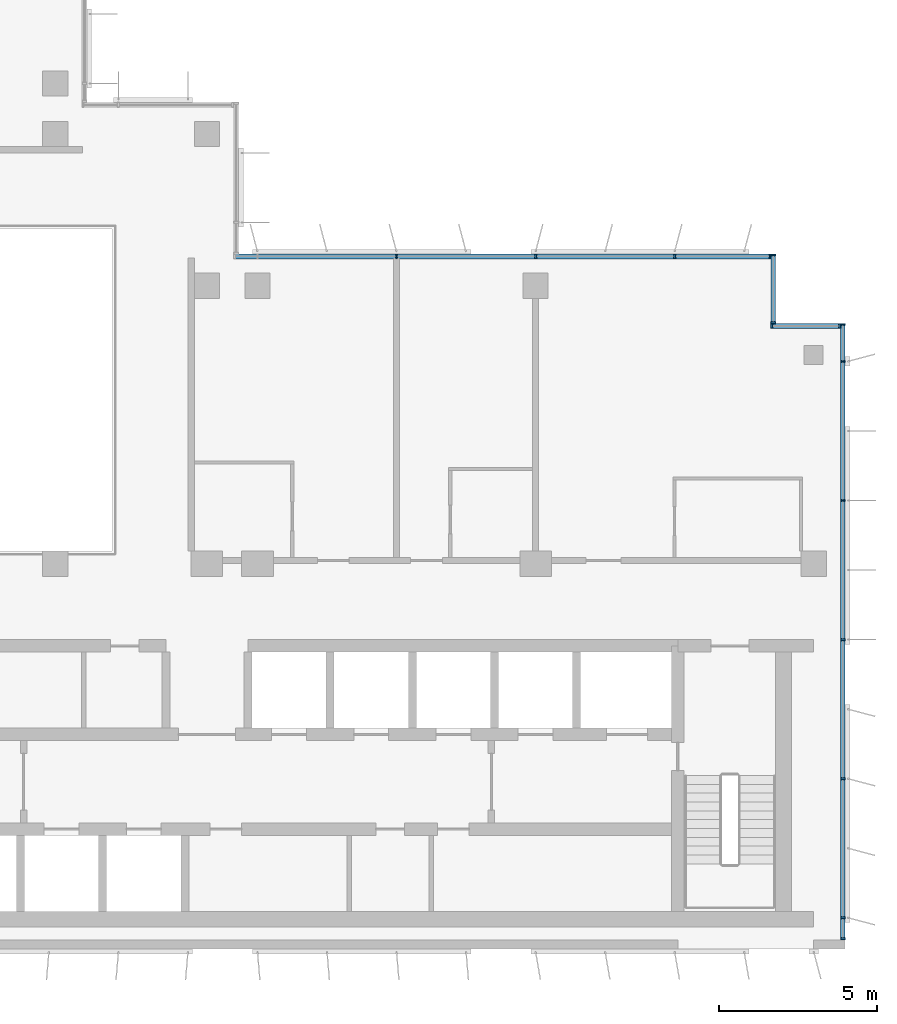
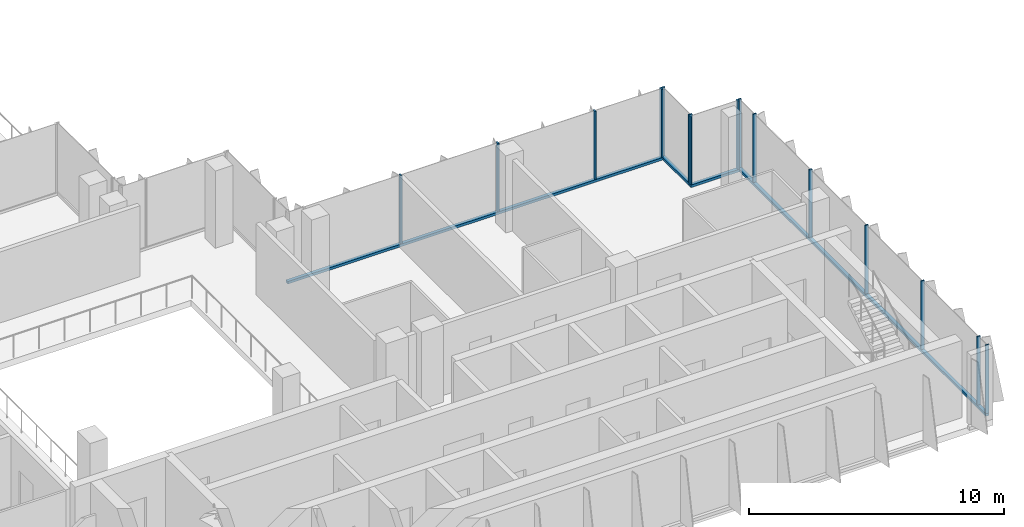
# One storey, part 3 of 15: 19 members, 4 elements without a shape of their own.
"""IFC4 building model written with IfcOpenShell, lengths in metres."""

from ifc_helpers import new_model, si_unit, direction, frame, origin, origin_2d, place, context, subcontext, project, spatial, rectangle, extrude, source, transform, mapped, material, material_profile, profile_set, type_object, element, aggregate, save


model = new_model("IFC4")

# Units and contexts
model_context = context("Model", 3, precision=1e-05, world=origin(), true_north=direction((0.0, 1.0)))
body_context = subcontext(model_context, "Body", "Model", "MODEL_VIEW")
ifc_project = project(units=[si_unit("LENGTHUNIT", "METRE"), si_unit("AREAUNIT", "SQUARE_METRE"), si_unit("VOLUMEUNIT", "CUBIC_METRE"), si_unit("PLANEANGLEUNIT", "RADIAN"), si_unit("MASSUNIT", "GRAM", prefix="KILO")], contexts=[model_context])

# Site, building, storey
site_placement = place(None, origin())
site = spatial("IfcSite", under=ifc_project, at=site_placement, CompositionType="ELEMENT")
building_placement = place(site_placement, origin())
building = spatial("IfcBuilding", under=site, at=building_placement, Name="Kemantara Hotel Tower", CompositionType="ELEMENT")
storey_placement = place(building_placement, frame((0.0, 0.0, 241.300048828125)))
storey = spatial("IfcBuildingStorey", under=building, at=storey_placement, Name="L60", CompositionType="ELEMENT", Elevation=241.300048828125)

# Curtain wall, member
ifc_material_1 = material(Name="Low-E tinted double insulated glass 36 mm", Category="glass")
curtain_wall_type = type_object("IfcCurtainWallType", Name="TOWER CURTAIN WALL, FRONT FACES", PredefinedType="USERDEFINED", material=ifc_material_1)
curtain_wall_1_placement = place(storey_placement, origin())
curtain_wall_1 = element("IfcCurtainWall", 1, at=curtain_wall_1_placement, inside=storey, type_object=curtain_wall_type, Name="CW4 L60 T4P-R06-1", ObjectType="TOWER CURTAIN WALL, FRONT FACES", PredefinedType="USERDEFINED")
ifc_material_2 = material(Name="Aluminium 6063-T6 bronze anodised", Category="aluminium")
ifc_material_profile_1 = material_profile(ifc_material_2, rectangle(XDim=0.14990234375, YDim=0.1201171875, at=origin_2d()), Name="TOWER CURTAIN WALL, FRONT FACES TRANSOM")
ifc_profile_set_1 = profile_set([ifc_material_profile_1], Name="Aluminium 6063-T6 bronze anodised")
member_type_1 = type_object("IfcMemberType", Name="TOWER CURTAIN WALL, FRONT FACES TRANSOM", PredefinedType="USERDEFINED", material=ifc_profile_set_1)
member_1_placement = place(storey_placement, frame((45.925048828125, 0.300048828125, 0.06005859375), z_axis=(0.0, 1.0, 0.0), x_axis=(-1.0, 0.0, 0.0)))
member_1 = element("IfcMember", 2, at=member_1_placement, type_object=member_type_1, Name="CW4 sill transom T4P-R06-1", ObjectType="TRANSOM", PredefinedType="USERDEFINED", context=body_context, shape_type="SweptSolid", body=[
    extrude(rectangle(XDim=0.14990234375, YDim=0.1201171875, at=origin_2d()), origin(), (0.0, 0.0, 1.0), 19.5),
])

curtain_wall_2_placement = place(storey_placement, origin())
curtain_wall_2 = element("IfcCurtainWall", 3, at=curtain_wall_2_placement, inside=storey, type_object=curtain_wall_type, Name="CW4 L60 T4P-R09-1", ObjectType="TOWER CURTAIN WALL, FRONT FACES", PredefinedType="USERDEFINED")
member_2_placement = place(storey_placement, frame((43.64990234375, 21.925048828125, 0.06005859375), z_axis=(-1.0, 0.0, 0.0), x_axis=(0.0, -1.0, 0.0)))
member_2 = element("IfcMember", 4, at=member_2_placement, type_object=member_type_1, Name="CW4 sill transom T4P-R09-1", ObjectType="TRANSOM", PredefinedType="USERDEFINED", context=body_context, shape_type="SweptSolid", body=[
    extrude(rectangle(XDim=0.14990234375, YDim=0.1201171875, at=origin_2d()), origin(), (0.0, 0.0, 1.0), 17.0),
])

curtain_wall_3_placement = place(storey_placement, origin())
curtain_wall_3 = element("IfcCurtainWall", 5, at=curtain_wall_3_placement, inside=storey, type_object=curtain_wall_type, Name="CW4 L60 T4P-R07-1", ObjectType="TOWER CURTAIN WALL, FRONT FACES", PredefinedType="USERDEFINED")
member_3_placement = place(storey_placement, frame((45.85009765625, 19.72509765625, 0.06005859375), z_axis=(-1.0, 0.0, 0.0), x_axis=(0.0, -1.0, 0.0)))
member_3 = element("IfcMember", 6, at=member_3_placement, type_object=member_type_1, Name="CW4 sill transom T4P-R07-1", ObjectType="TRANSOM", PredefinedType="USERDEFINED", context=body_context, shape_type="SweptSolid", body=[
    extrude(rectangle(XDim=0.14990234375, YDim=0.1201171875, at=origin_2d()), origin(), (0.0, 0.0, 1.0), 2.2001953125),
])

curtain_wall_4_placement = place(storey_placement, origin())
curtain_wall_4 = element("IfcCurtainWall", 7, at=curtain_wall_4_placement, inside=storey, type_object=curtain_wall_type, Name="CW4 L60 T4P-R08-1", ObjectType="TOWER CURTAIN WALL, FRONT FACES", PredefinedType="USERDEFINED")
member_4_placement = place(storey_placement, frame((43.72509765625, 19.800048828125, 0.06005859375), z_axis=(0.0, 1.0, 0.0), x_axis=(-1.0, 0.0, 0.0)))
member_4 = element("IfcMember", 8, at=member_4_placement, type_object=member_type_1, Name="CW4 sill transom T4P-R08-1", ObjectType="TRANSOM", PredefinedType="USERDEFINED", context=body_context, shape_type="SweptSolid", body=[
    extrude(rectangle(XDim=0.14990234375, YDim=0.1201171875, at=origin_2d()), origin(), (0.0, 0.0, 1.0), 2.199951171875),
])

# Member
ifc_material_profile_2 = material_profile(ifc_material_2, rectangle(XDim=0.14990234375, YDim=0.06005859375, at=origin_2d()), Name="TOWER CURTAIN WALL, FRONT FACES MULLION")
ifc_profile_set_2 = profile_set([ifc_material_profile_2], Name="Aluminium 6063-T6 bronze anodised")
member_type_2 = type_object("IfcMemberType", Name="TOWER CURTAIN WALL, FRONT FACES MULLION", PredefinedType="MULLION", material=ifc_profile_set_2)
shared_shape = source(origin(), body_context, "Body", "SweptSolid", [
    extrude(rectangle(XDim=0.14990234375, YDim=0.06005859375, at=origin_2d()), origin(), (0.0, 0.0, 1.0), 3.280029296875),
])
member_5_placement = place(storey_placement, frame((45.925048828125, 0.330078125, 0.119873046875), z_axis=(0.0, 0.0, 1.0), x_axis=(-1.0, 0.0, 0.0)))
member_5 = element("IfcMember", 9, at=member_5_placement, type_object=member_type_2, Name="CW4 mullion T4P-R06-1.1", PredefinedType="MULLION", context=body_context, shape_type="MappedRepresentation", body=[
    mapped(shared_shape, transform((0.0, 0.0, 0.0))),
])

member_6_placement = place(storey_placement, frame((45.925048828125, 1.0, 0.119873046875), z_axis=(0.0, 0.0, 1.0), x_axis=(-1.0, 0.0, 0.0)))
member_6 = element("IfcMember", 10, at=member_6_placement, type_object=member_type_2, Name="CW4 mullion T4P-R06-1.2", PredefinedType="MULLION", context=body_context, shape_type="MappedRepresentation", body=[
    mapped(shared_shape, transform((0.0, 0.0, 0.0))),
])

member_7_placement = place(storey_placement, frame((45.925048828125, 5.39990234375, 0.119873046875), z_axis=(0.0, 0.0, 1.0), x_axis=(-1.0, 0.0, 0.0)))
member_7 = element("IfcMember", 11, at=member_7_placement, type_object=member_type_2, Name="CW4 mullion T4P-R06-1.3", PredefinedType="MULLION", context=body_context, shape_type="MappedRepresentation", body=[
    mapped(shared_shape, transform((0.0, 0.0, 0.0))),
])

member_8_placement = place(storey_placement, frame((45.925048828125, 9.800048828125, 0.119873046875), z_axis=(0.0, 0.0, 1.0), x_axis=(-1.0, 0.0, 0.0)))
member_8 = element("IfcMember", 12, at=member_8_placement, type_object=member_type_2, Name="CW4 mullion T4P-R06-1.4", PredefinedType="MULLION", context=body_context, shape_type="MappedRepresentation", body=[
    mapped(shared_shape, transform((0.0, 0.0, 0.0))),
])

member_9_placement = place(storey_placement, frame((45.925048828125, 14.199951171875, 0.119873046875), z_axis=(0.0, 0.0, 1.0), x_axis=(-1.0, 0.0, 0.0)))
member_9 = element("IfcMember", 13, at=member_9_placement, type_object=member_type_2, Name="CW4 mullion T4P-R06-1.5", PredefinedType="MULLION", context=body_context, shape_type="MappedRepresentation", body=[
    mapped(shared_shape, transform((0.0, 0.0, 0.0))),
])

member_10_placement = place(storey_placement, frame((45.925048828125, 18.60009765625, 0.119873046875), z_axis=(0.0, 0.0, 1.0), x_axis=(-1.0, 0.0, 0.0)))
member_10 = element("IfcMember", 14, at=member_10_placement, type_object=member_type_2, Name="CW4 mullion T4P-R06-1.6", PredefinedType="MULLION", context=body_context, shape_type="MappedRepresentation", body=[
    mapped(shared_shape, transform((0.0, 0.0, 0.0))),
])

member_11_placement = place(storey_placement, frame((45.925048828125, 19.77001953125, 0.119873046875), z_axis=(0.0, 0.0, 1.0), x_axis=(-1.0, 0.0, 0.0)))
member_11 = element("IfcMember", 15, at=member_11_placement, type_object=member_type_2, Name="CW4 mullion T4P-R06-1.7", PredefinedType="MULLION", context=body_context, shape_type="MappedRepresentation", body=[
    mapped(shared_shape, transform((0.0, 0.0, 0.0))),
])

aggregate(curtain_wall_1, [member_1, member_5, member_6, member_7, member_8, member_9, member_10, member_11])

member_12_placement = place(storey_placement, frame((43.6201171875, 21.925048828125, 0.119873046875), z_axis=(0.0, 0.0, 1.0), x_axis=(0.0, -1.0, 0.0)))
member_12 = element("IfcMember", 16, at=member_12_placement, type_object=member_type_2, Name="CW4 mullion T4P-R09-1.1", PredefinedType="MULLION", context=body_context, shape_type="MappedRepresentation", body=[
    mapped(shared_shape, transform((0.0, 0.0, 0.0))),
])

member_13_placement = place(storey_placement, frame((40.60009765625, 21.925048828125, 0.119873046875), z_axis=(0.0, 0.0, 1.0), x_axis=(0.0, -1.0, 0.0)))
member_13 = element("IfcMember", 17, at=member_13_placement, type_object=member_type_2, Name="CW4 mullion T4P-R09-1.2", PredefinedType="MULLION", context=body_context, shape_type="MappedRepresentation", body=[
    mapped(shared_shape, transform((0.0, 0.0, 0.0))),
])

member_14_placement = place(storey_placement, frame((36.199951171875, 21.925048828125, 0.119873046875), z_axis=(0.0, 0.0, 1.0), x_axis=(0.0, -1.0, 0.0)))
member_14 = element("IfcMember", 18, at=member_14_placement, type_object=member_type_2, Name="CW4 mullion T4P-R09-1.3", PredefinedType="MULLION", context=body_context, shape_type="MappedRepresentation", body=[
    mapped(shared_shape, transform((0.0, 0.0, 0.0))),
])

member_15_placement = place(storey_placement, frame((31.800048828125, 21.925048828125, 0.119873046875), z_axis=(0.0, 0.0, 1.0), x_axis=(0.0, -1.0, 0.0)))
member_15 = element("IfcMember", 19, at=member_15_placement, type_object=member_type_2, Name="CW4 mullion T4P-R09-1.4", PredefinedType="MULLION", context=body_context, shape_type="MappedRepresentation", body=[
    mapped(shared_shape, transform((0.0, 0.0, 0.0))),
])

aggregate(curtain_wall_2, [member_2, member_12, member_13, member_14, member_15])

member_16_placement = place(storey_placement, frame((45.820068359375, 19.72509765625, 0.119873046875), z_axis=(0.0, 0.0, 1.0), x_axis=(0.0, -1.0, 0.0)))
member_16 = element("IfcMember", 20, at=member_16_placement, type_object=member_type_2, Name="CW4 mullion T4P-R07-1.1", PredefinedType="MULLION", context=body_context, shape_type="MappedRepresentation", body=[
    mapped(shared_shape, transform((0.0, 0.0, 0.0))),
])

member_17_placement = place(storey_placement, frame((43.679931640625, 19.72509765625, 0.119873046875), z_axis=(0.0, 0.0, 1.0), x_axis=(0.0, -1.0, 0.0)))
member_17 = element("IfcMember", 21, at=member_17_placement, type_object=member_type_2, Name="CW4 mullion T4P-R07-1.2", PredefinedType="MULLION", context=body_context, shape_type="MappedRepresentation", body=[
    mapped(shared_shape, transform((0.0, 0.0, 0.0))),
])

aggregate(curtain_wall_3, [member_3, member_16, member_17])

member_18_placement = place(storey_placement, frame((43.72509765625, 19.830078125, 0.119873046875), z_axis=(0.0, 0.0, 1.0), x_axis=(-1.0, 0.0, 0.0)))
member_18 = element("IfcMember", 22, at=member_18_placement, type_object=member_type_2, Name="CW4 mullion T4P-R08-1.1", PredefinedType="MULLION", context=body_context, shape_type="MappedRepresentation", body=[
    mapped(shared_shape, transform((0.0, 0.0, 0.0))),
])

member_19_placement = place(storey_placement, frame((43.72509765625, 21.969970703125, 0.119873046875), z_axis=(0.0, 0.0, 1.0), x_axis=(-1.0, 0.0, 0.0)))
member_19 = element("IfcMember", 23, at=member_19_placement, type_object=member_type_2, Name="CW4 mullion T4P-R08-1.2", PredefinedType="MULLION", context=body_context, shape_type="MappedRepresentation", body=[
    mapped(shared_shape, transform((0.0, 0.0, 0.0))),
])

aggregate(curtain_wall_4, [member_4, member_18, member_19])

save(model, "model.ifc")
